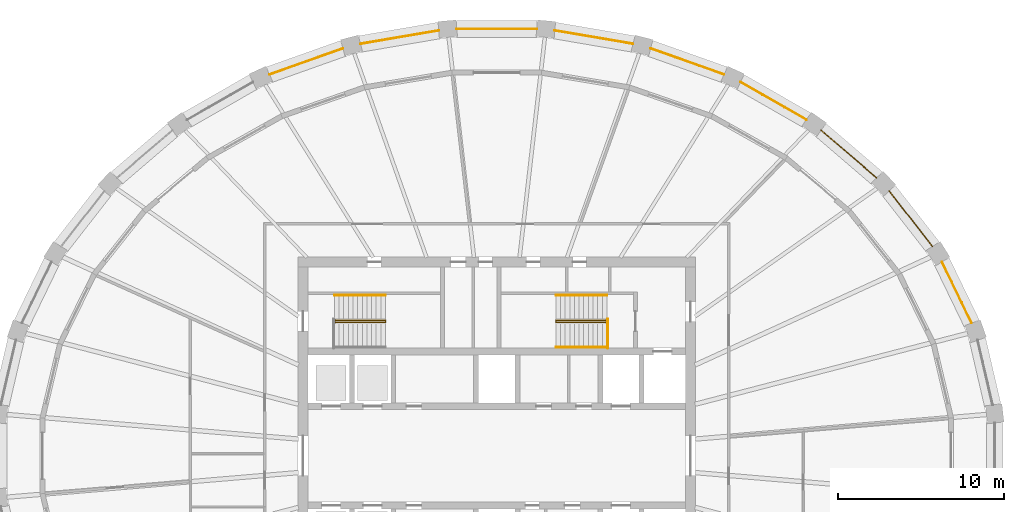
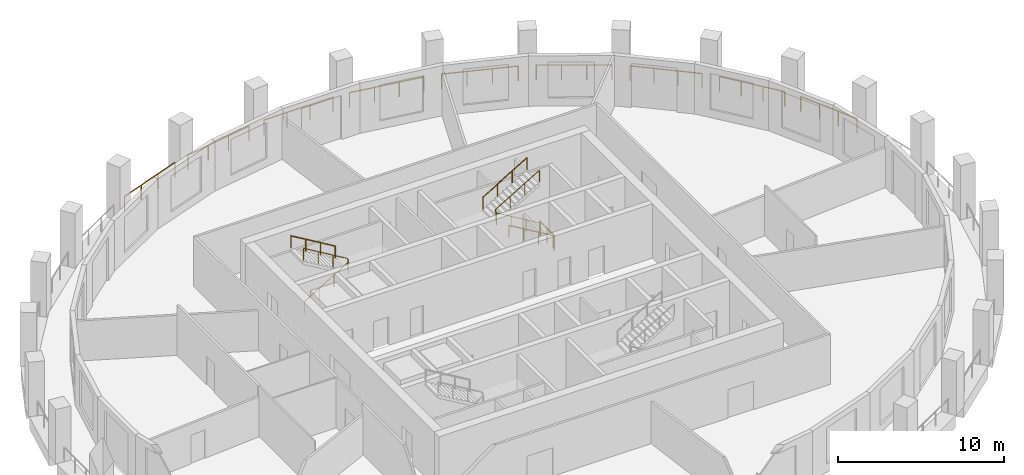
# One storey, part 9 of 10: 15 railings.
"""IFC4 building model written with IfcOpenShell, lengths in metres."""

import ifcopenshell
import ifcopenshell.guid

model = None  # the IFC model being written
_history = None  # IfcOwnerHistory: only IFC2X3 demands one
_inside = {}  # id of a spatial element -> (the spatial element, [elements in it])
_under = {}  # id of a project, library or spatial element -> (it, [spatial elements below it])
_declared = {}  # id of a project -> (the project, [libraries it declares])
_typed = {}  # id of a type object -> (the type object, [elements of that type])
_made_of = {}  # id of a material, layer set ... -> (it, [elements and type objects made of it])


def new_model(schema):
    """Start an empty IFC model of exactly this schema.

    Asked for "IFC4X3", IfcOpenShell would pick the latest addendum, in which some entities
    have other attributes; the version numbers below select the first issue.
    IFC2X3 requires an IfcOwnerHistory on every rooted entity: one is made here for all.
    """
    global model, _history
    if schema == "IFC4X3":
        model = ifcopenshell.file(schema_version=(4, 3, 0, 0))
    else:
        model = ifcopenshell.file(schema=schema)
    _inside.clear()
    _under.clear()
    _declared.clear()
    _typed.clear()
    _made_of.clear()
    _history = None
    if model.schema == "IFC2X3":
        org = make("IfcOrganization", Name="unknown")
        user = make(
            "IfcPersonAndOrganization",
            ThePerson=make("IfcPerson", FamilyName="unknown"),
            TheOrganization=org,
        )
        app = make(
            "IfcApplication",
            ApplicationDeveloper=org,
            Version="unknown",
            ApplicationFullName="unknown",
            ApplicationIdentifier="unknown",
        )
        _history = make(
            "IfcOwnerHistory",
            OwningUser=user,
            OwningApplication=app,
            ChangeAction="ADDED",
            CreationDate=0,
        )
    return model


def make(cls, **values):
    """One entity of the class cls with the attributes given. An attribute that is None is left unset."""
    return model.create_entity(
        cls, **{name: value for name, value in values.items() if value is not None}
    )


def rooted(cls, **values):
    """An entity with a GlobalId (a new one), such as an element, a storey or a relation."""
    return make(cls, GlobalId=ifcopenshell.guid.new(), OwnerHistory=_history, **values)


def si_unit(unit_type, name, prefix=None):
    """IfcSIUnit, for example si_unit("LENGTHUNIT", "METRE", prefix="MILLI")."""
    return make("IfcSIUnit", UnitType=unit_type, Prefix=prefix, Name=name)


def assignment(units):
    """IfcUnitAssignment: the units of a project."""
    return None if units is None else make("IfcUnitAssignment", Units=units)


def point(xyz):
    """IfcCartesianPoint."""
    return None if xyz is None else make("IfcCartesianPoint", Coordinates=xyz)


def direction(xyz):
    """IfcDirection."""
    return None if xyz is None else make("IfcDirection", DirectionRatios=xyz)


def frame(location, z_axis=None, x_axis=None):
    """IfcAxis2Placement3D, a coordinate frame: its origin and axes. An axis left out is left unset."""
    return make(
        "IfcAxis2Placement3D",
        Location=point(location),
        Axis=direction(z_axis),
        RefDirection=direction(x_axis),
    )


def frame_2d(location, x_axis=None):
    """IfcAxis2Placement2D, a coordinate frame in the plane: its origin and x axis."""
    return make(
        "IfcAxis2Placement2D", Location=point(location), RefDirection=direction(x_axis)
    )


def origin():
    """The frame at (0, 0, 0) with its axes left unset."""
    return frame((0.0, 0.0, 0.0))


def origin_2d():
    """The frame at (0, 0) in the plane with its x axis left unset."""
    return frame_2d((0.0, 0.0))


def place(relative_to, where):
    """IfcLocalPlacement: puts the frame where relative to a parent placement (None: the world)."""
    return make(
        "IfcLocalPlacement", PlacementRelTo=relative_to, RelativePlacement=where
    )


def context(
    kind, dimensions, precision=None, world=None, true_north=None, identifier=None
):
    """IfcGeometricRepresentationContext, for example the 3D "Model" context."""
    return make(
        "IfcGeometricRepresentationContext",
        ContextIdentifier=identifier,
        ContextType=kind,
        CoordinateSpaceDimension=dimensions,
        Precision=precision,
        WorldCoordinateSystem=world,
        TrueNorth=true_north,
    )


def subcontext(parent, identifier, kind, view, scale=None):
    """IfcGeometricRepresentationSubContext, for example "Body" below "Model"."""
    return make(
        "IfcGeometricRepresentationSubContext",
        ContextIdentifier=identifier,
        ContextType=kind,
        ParentContext=parent,
        TargetScale=scale,
        TargetView=view,
    )


def project(units=None, contexts=None):
    """IfcProject with its units and contexts."""
    return rooted(
        "IfcProject",
        Name="project",
        RepresentationContexts=contexts,
        UnitsInContext=assignment(units),
    )


def spatial(cls, under=None, at=None, **own):
    """A site, building, storey or space (cls), placed at a placement, below another one or the project."""
    s = rooted(cls, ObjectPlacement=at, **own)
    if under is not None:
        _under.setdefault(under.id(), (under, []))[1].append(s)
    return s


def profile(cls, at=None, kind="AREA", **sizes):
    """A parametric profile (cls). Its sizes go by their IFC names, for example OverallWidth=200.0."""
    return make(cls, ProfileType=kind, Position=at, **sizes)


def circle(**sizes):
    """IfcCircleProfileDef."""
    return profile("IfcCircleProfileDef", **sizes)


def extrude(swept, where, along, depth):
    """IfcExtrudedAreaSolid: the profile swept, set in the frame where, extruded along a direction by depth."""
    return make(
        "IfcExtrudedAreaSolid",
        SweptArea=swept,
        Position=where,
        ExtrudedDirection=direction(along),
        Depth=depth,
    )


def shape(context_of_items, identifier, shape_type, items):
    """IfcShapeRepresentation: the items that make up one representation, for example the "Body"."""
    return make(
        "IfcShapeRepresentation",
        ContextOfItems=context_of_items,
        RepresentationIdentifier=identifier,
        RepresentationType=shape_type,
        Items=items,
    )


def material(Name=None, Category=None):
    """IfcMaterial."""
    return make("IfcMaterial", Name=Name, Category=Category)


def made_of(thing, what):
    """Note that an element or type object is made of a material, layer set ...; save() writes the relation."""
    if what is not None:
        _made_of.setdefault(what.id(), (what, []))[1].append(thing)
    return thing


def type_object(cls, material=None, **own):
    """A type object (cls), such as IfcWallType, which elements share."""
    return made_of(rooted(cls, **own), material)


def element(
    cls,
    number,
    at=None,
    inside=None,
    cuts=None,
    type_object=None,
    material=None,
    context=None,
    identifier="Body",
    shape_type=None,
    held_by="IfcProductDefinitionShape",
    body=None,
    shapes=None,
    **own,
):
    """One element of the class cls, such as IfcWall. Its Tag is "e" and its number.

    at: its placement. inside: the storey or other place that contains it. cuts: it is an
    opening in that element (IfcRelVoidsElement). A single representation is given by context,
    identifier, shape_type and body (its items); several are given by shapes. held_by: the class
    of the entity that holds the representations. save() writes the other relations.
    """
    e = rooted(cls, Tag="e%d" % number, ObjectPlacement=at, **own)
    if body is not None:
        shapes = [shape(context, identifier, shape_type, body)]
    if shapes is not None:
        e.Representation = make(held_by, Representations=shapes)
    if inside is not None:
        _inside.setdefault(inside.id(), (inside, []))[1].append(e)
    if cuts is not None:
        rooted(
            "IfcRelVoidsElement", RelatingBuildingElement=cuts, RelatedOpeningElement=e
        )
    if type_object is not None:
        _typed.setdefault(type_object.id(), (type_object, []))[1].append(e)
    return made_of(e, material)


def aggregate(whole, parts):
    """IfcRelAggregates: a whole, such as a stair, and the parts it consists of."""
    return rooted("IfcRelAggregates", RelatingObject=whole, RelatedObjects=parts)


def save(model, path):
    """Write the relations noted so far, then the file.

    IfcRelAggregates (storeys below a building ...), IfcRelContainedInSpatialStructure (elements
    in a storey), IfcRelDefinesByType, IfcRelAssociatesMaterial and IfcRelDeclares: one each for
    every whole, place, type object, material and project.
    """
    for whole, parts in _under.values():
        aggregate(whole, parts)
    for where, things in _inside.values():
        rooted(
            "IfcRelContainedInSpatialStructure",
            RelatedElements=things,
            RelatingStructure=where,
        )
    for kind, things in _typed.values():
        rooted("IfcRelDefinesByType", RelatedObjects=things, RelatingType=kind)
    for what, things in _made_of.values():
        rooted("IfcRelAssociatesMaterial", RelatedObjects=things, RelatingMaterial=what)
    for by, libraries in _declared.values():
        rooted("IfcRelDeclares", RelatingContext=by, RelatedDefinitions=libraries)
    model.write(path)


model = new_model("IFC4")

# Units and contexts
model_context = context("Model", 3, precision=1e-05, world=origin(), true_north=direction((0.0, 1.0)))
body_context = subcontext(model_context, "Body", "Model", "MODEL_VIEW")
ifc_project = project(units=[si_unit("LENGTHUNIT", "METRE"), si_unit("AREAUNIT", "SQUARE_METRE"), si_unit("VOLUMEUNIT", "CUBIC_METRE"), si_unit("PLANEANGLEUNIT", "RADIAN"), si_unit("MASSUNIT", "GRAM", prefix="KILO")], contexts=[model_context])

# Site, building, storey
site_placement = place(None, origin())
site = spatial("IfcSite", under=ifc_project, at=site_placement, CompositionType="ELEMENT")
building_placement = place(site_placement, origin())
building = spatial("IfcBuilding", under=site, at=building_placement, Name="Halqa Exchange Tower", CompositionType="ELEMENT")
storey_placement = place(building_placement, frame((0.0, 0.0, 256.300048828125)))
storey = spatial("IfcBuildingStorey", under=building, at=storey_placement, Name="L59", CompositionType="ELEMENT", Elevation=256.300048828125)

# Railings
ifc_material = material(Name="Stainless steel", Category="steel")
railing_type_1 = type_object("IfcRailingType", Name="Guard 1100 stainless steel", PredefinedType="GUARDRAIL", material=ifc_material)
railing_1_placement = place(storey_placement, frame((28.67041015625, 8.011962890625, 0.0)))
element("IfcRailing", 1, at=railing_1_placement, inside=storey, type_object=railing_type_1, Name="Loggia guard 2", PredefinedType="GUARDRAIL", context=body_context, shape_type="SweptSolid", body=[
    extrude(circle(Radius=0.02392578125, at=origin_2d()), frame((0.0, 0.0, 1.076171875), z_axis=(-0.435122901851, 0.900371068107, 0.0), x_axis=(-0.900371068107, -0.435122901851, 0.0)), (0.0, 0.0, 1.0), 4.10888671875),
    extrude(circle(Radius=0.02099609375, at=origin_2d()), origin(), (0.0, 0.0, 1.0), 1.052001953125),
    extrude(circle(Radius=0.02099609375, at=origin_2d()), frame((-0.595947265625, 1.233154296875, 0.0)), (0.0, 0.0, 1.0), 1.052001953125),
    extrude(circle(Radius=0.02099609375, at=origin_2d()), frame((-1.19189453125, 2.46630859375, 0.0)), (0.0, 0.0, 1.0), 1.052001953125),
    extrude(circle(Radius=0.02099609375, at=origin_2d()), frame((-1.787841796875, 3.699462890625, 0.0)), (0.0, 0.0, 1.0), 1.052001953125),
])
railing_2_placement = place(storey_placement, frame((26.30517578125, 12.640380859375, 0.0)))
element("IfcRailing", 2, at=railing_2_placement, inside=storey, type_object=railing_type_1, Name="Loggia guard 3", PredefinedType="GUARDRAIL", context=body_context, shape_type="SweptSolid", body=[
    extrude(circle(Radius=0.02392578125, at=origin_2d()), frame((0.0, 0.0, 1.076171875), z_axis=(-0.614806859209, 0.788677707223, 0.0), x_axis=(-0.788677707223, -0.614806859209, 0.0)), (0.0, 0.0, 1.0), 4.251708984375),
    extrude(circle(Radius=0.02099609375, at=origin_2d()), origin(), (0.0, 0.0, 1.0), 1.052001953125),
    extrude(circle(Radius=0.02099609375, at=origin_2d()), frame((-0.871337890625, 1.11767578125, 0.0)), (0.0, 0.0, 1.0), 1.052001953125),
    extrude(circle(Radius=0.02099609375, at=origin_2d()), frame((-1.74267578125, 2.235595703125, 0.0)), (0.0, 0.0, 1.0), 1.052001953125),
    extrude(circle(Radius=0.02099609375, at=origin_2d()), frame((-2.614013671875, 3.353271484375, 0.0)), (0.0, 0.0, 1.0), 1.052001953125),
])
railing_3_placement = place(storey_placement, frame((22.935302734375, 16.785400390625, 0.0)))
element("IfcRailing", 3, at=railing_3_placement, inside=storey, type_object=railing_type_1, Name="Loggia guard 4", PredefinedType="GUARDRAIL", context=body_context, shape_type="SweptSolid", body=[
    extrude(circle(Radius=0.02392578125, at=origin_2d()), frame((0.0, 0.0, 1.076171875), z_axis=(-0.759240989742, 0.650809587741, 0.0), x_axis=(-0.650809587741, -0.759240989742, 0.0)), (0.0, 0.0, 1.0), 4.415283203125),
    extrude(circle(Radius=0.02099609375, at=origin_2d()), origin(), (0.0, 0.0, 1.0), 1.052001953125),
    extrude(circle(Radius=0.02099609375, at=origin_2d()), frame((-1.117431640625, 0.957763671875, 0.0)), (0.0, 0.0, 1.0), 1.052001953125),
    extrude(circle(Radius=0.02099609375, at=origin_2d()), frame((-2.23486328125, 1.915771484375, 0.0)), (0.0, 0.0, 1.0), 1.052001953125),
    extrude(circle(Radius=0.02099609375, at=origin_2d()), frame((-3.352294921875, 2.87353515625, 0.0)), (0.0, 0.0, 1.0), 1.052001953125),
])
railing_4_placement = place(storey_placement, frame((18.68798828125, 20.290283203125, 0.0)))
element("IfcRailing", 4, at=railing_4_placement, inside=storey, type_object=railing_type_1, Name="Loggia guard 5", PredefinedType="GUARDRAIL", context=body_context, shape_type="SweptSolid", body=[
    extrude(circle(Radius=0.02392578125, at=origin_2d()), frame((0.0, 0.0, 1.076171875), z_axis=(-0.867756640144, 0.496989349469, 0.0), x_axis=(-0.496989349469, -0.867756640144, 0.0)), (0.0, 0.0, 1.0), 4.574462890625),
    extrude(circle(Radius=0.02099609375, at=origin_2d()), origin(), (0.0, 0.0, 1.0), 1.052001953125),
    extrude(circle(Radius=0.02099609375, at=origin_2d()), frame((-1.3232421875, 0.7578125, 0.0)), (0.0, 0.0, 1.0), 1.052001953125),
    extrude(circle(Radius=0.02099609375, at=origin_2d()), frame((-2.646240234375, 1.515625, 0.0)), (0.0, 0.0, 1.0), 1.052001953125),
    extrude(circle(Radius=0.02099609375, at=origin_2d()), frame((-3.969482421875, 2.2734375, 0.0)), (0.0, 0.0, 1.0), 1.052001953125),
])
railing_5_placement = place(storey_placement, frame((13.722900390625, 23.02099609375, 0.0)))
element("IfcRailing", 5, at=railing_5_placement, inside=storey, type_object=railing_type_1, Name="Loggia guard 6", PredefinedType="GUARDRAIL", context=body_context, shape_type="SweptSolid", body=[
    extrude(circle(Radius=0.02392578125, at=origin_2d()), frame((0.0, 0.0, 1.076171875), z_axis=(-0.942362332285, 0.334594134275, 0.0), x_axis=(-0.334594134275, -0.942362332285, 0.0)), (0.0, 0.0, 1.0), 4.706298828125),
    extrude(circle(Radius=0.02099609375, at=origin_2d()), origin(), (0.0, 0.0, 1.0), 1.052001953125),
    extrude(circle(Radius=0.02099609375, at=origin_2d()), frame((-1.478271484375, 0.52490234375, 0.0)), (0.0, 0.0, 1.0), 1.052001953125),
    extrude(circle(Radius=0.02099609375, at=origin_2d()), frame((-2.956787109375, 1.0498046875, 0.0)), (0.0, 0.0, 1.0), 1.052001953125),
    extrude(circle(Radius=0.02099609375, at=origin_2d()), frame((-4.43505859375, 1.57470703125, 0.0)), (0.0, 0.0, 1.0), 1.052001953125),
])
railing_6_placement = place(storey_placement, frame((8.227294921875, 24.8720703125, 0.0)))
element("IfcRailing", 6, at=railing_6_placement, inside=storey, type_object=railing_type_1, Name="Loggia guard 7", PredefinedType="GUARDRAIL", context=body_context, shape_type="SweptSolid", body=[
    extrude(circle(Radius=0.02392578125, at=origin_2d()), frame((0.0, 0.0, 1.076171875), z_axis=(-0.98577433099, 0.168074294172, 0.0), x_axis=(-0.168074294172, -0.98577433099, 0.0)), (0.0, 0.0, 1.0), 4.7919921875),
    extrude(circle(Radius=0.02099609375, at=origin_2d()), origin(), (0.0, 0.0, 1.0), 1.052001953125),
    extrude(circle(Radius=0.02099609375, at=origin_2d()), frame((-1.57470703125, 0.2685546875, 0.0)), (0.0, 0.0, 1.0), 1.052001953125),
    extrude(circle(Radius=0.02099609375, at=origin_2d()), frame((-3.149169921875, 0.536865234375, 0.0)), (0.0, 0.0, 1.0), 1.052001953125),
    extrude(circle(Radius=0.02099609375, at=origin_2d()), frame((-4.723876953125, 0.805419921875, 0.0)), (0.0, 0.0, 1.0), 1.052001953125),
])
railing_7_placement = place(storey_placement, frame((2.4111328125, 25.77001953125, 0.0)))
element("IfcRailing", 7, at=railing_7_placement, inside=storey, type_object=railing_type_1, Name="Loggia guard 8", PredefinedType="GUARDRAIL", context=body_context, shape_type="SweptSolid", body=[
    extrude(circle(Radius=0.02392578125, at=origin_2d()), frame((0.0, 0.0, 1.076171875), z_axis=(-1.0, 0.0, 0.0), x_axis=(0.0, -1.0, 0.0)), (0.0, 0.0, 1.0), 4.822265625),
    extrude(circle(Radius=0.02099609375, at=origin_2d()), origin(), (0.0, 0.0, 1.0), 1.052001953125),
    extrude(circle(Radius=0.02099609375, at=origin_2d()), frame((-1.607421875, 0.0, 0.0)), (0.0, 0.0, 1.0), 1.052001953125),
    extrude(circle(Radius=0.02099609375, at=origin_2d()), frame((-3.21484375, 0.0, 0.0)), (0.0, 0.0, 1.0), 1.052001953125),
    extrude(circle(Radius=0.02099609375, at=origin_2d()), frame((-4.822265625, 0.0, 0.0)), (0.0, 0.0, 1.0), 1.052001953125),
])
railing_8_placement = place(storey_placement, frame((-3.50341796875, 25.677490234375, 0.0)))
element("IfcRailing", 8, at=railing_8_placement, inside=storey, type_object=railing_type_1, Name="Loggia guard 9", PredefinedType="GUARDRAIL", context=body_context, shape_type="SweptSolid", body=[
    extrude(circle(Radius=0.02392578125, at=origin_2d()), frame((0.0, 0.0, 1.076171875), z_axis=(-0.98577433099, -0.168074294172, 0.0), x_axis=(0.168074294172, -0.98577433099, 0.0)), (0.0, 0.0, 1.0), 4.7919921875),
    extrude(circle(Radius=0.02099609375, at=origin_2d()), origin(), (0.0, 0.0, 1.0), 1.052001953125),
    extrude(circle(Radius=0.02099609375, at=origin_2d()), frame((-1.57470703125, -0.2685546875, 0.0)), (0.0, 0.0, 1.0), 1.052001953125),
    extrude(circle(Radius=0.02099609375, at=origin_2d()), frame((-3.149169921875, -0.536865234375, 0.0)), (0.0, 0.0, 1.0), 1.052001953125),
    extrude(circle(Radius=0.02099609375, at=origin_2d()), frame((-4.723876953125, -0.805419921875, 0.0)), (0.0, 0.0, 1.0), 1.052001953125),
])
railing_9_placement = place(storey_placement, frame((-9.287841796875, 24.595703125, 0.0)))
element("IfcRailing", 9, at=railing_9_placement, inside=storey, type_object=railing_type_1, Name="Loggia guard 10", PredefinedType="GUARDRAIL", context=body_context, shape_type="SweptSolid", body=[
    extrude(circle(Radius=0.02392578125, at=origin_2d()), frame((0.0, 0.0, 1.076171875), z_axis=(-0.942362332285, -0.334594134275, 0.0), x_axis=(0.334594134275, -0.942362332285, 0.0)), (0.0, 0.0, 1.0), 4.706298828125),
    extrude(circle(Radius=0.02099609375, at=origin_2d()), origin(), (0.0, 0.0, 1.0), 1.052001953125),
    extrude(circle(Radius=0.02099609375, at=origin_2d()), frame((-1.478271484375, -0.52490234375, 0.0)), (0.0, 0.0, 1.0), 1.052001953125),
    extrude(circle(Radius=0.02099609375, at=origin_2d()), frame((-2.956787109375, -1.0498046875, 0.0)), (0.0, 0.0, 1.0), 1.052001953125),
    extrude(circle(Radius=0.02099609375, at=origin_2d()), frame((-4.43505859375, -1.57470703125, 0.0)), (0.0, 0.0, 1.0), 1.052001953125),
])
railing_type_2 = type_object("IfcRailingType", Name="Stair handrail 900", PredefinedType="HANDRAIL", material=ifc_material)
railing_10_placement = place(storey_placement, frame((-9.800048828125, 8.06005859375, 0.166748046875)))
element("IfcRailing", 10, at=railing_10_placement, inside=storey, type_object=railing_type_2, Name="Handrail ST1.1", PredefinedType="HANDRAIL", context=body_context, shape_type="SweptSolid", body=[
    extrude(circle(Radius=0.02392578125, at=origin_2d()), frame((0.0, 0.0, 0.8759765625), z_axis=(0.859308565015, 0.0, 0.511457515432), x_axis=(0.0, 1.0, 0.0)), (0.0, 0.0, 1.0), 3.58447265625),
    extrude(circle(Radius=0.02392578125, at=origin_2d()), frame((3.080078125, 0.0, 2.708984375), z_axis=(0.0, 0.614500226555, 0.788916644243), x_axis=(-1.0, 0.0, 0.0)), (0.0, 0.0, 1.0), 0.21142578125),
    extrude(circle(Radius=0.02392578125, at=origin_2d()), frame((3.080078125, 0.1298828125, 2.8759765625), z_axis=(-0.859308565015, 0.0, 0.511457515432), x_axis=(0.0, -1.0, 0.0)), (0.0, 0.0, 1.0), 3.58447265625),
    extrude(circle(Radius=0.02099609375, at=origin_2d()), origin(), (0.0, 0.0, 1.0), 0.851806640625),
    extrude(circle(Radius=0.02099609375, at=origin_2d()), frame((1.026611328125, 0.0, 0.611083984375)), (0.0, 0.0, 1.0), 0.851806640625),
    extrude(circle(Radius=0.02099609375, at=origin_2d()), frame((2.053466796875, 0.0, 1.22216796875)), (0.0, 0.0, 1.0), 0.851806640625),
    extrude(circle(Radius=0.02099609375, at=origin_2d()), frame((3.080078125, 0.0, 1.833251953125)), (0.0, 0.0, 1.0), 0.851806640625),
    extrude(circle(Radius=0.02099609375, at=origin_2d()), frame((3.080078125, 0.1298828125, 2.0)), (0.0, 0.0, 1.0), 0.851806640625),
    extrude(circle(Radius=0.02099609375, at=origin_2d()), frame((2.053466796875, 0.1298828125, 2.611083984375)), (0.0, 0.0, 1.0), 0.851806640625),
    extrude(circle(Radius=0.02099609375, at=origin_2d()), frame((1.026611328125, 0.1298828125, 3.22216796875)), (0.0, 0.0, 1.0), 0.851806640625),
    extrude(circle(Radius=0.02099609375, at=origin_2d()), frame((0.0, 0.1298828125, 3.833251953125)), (0.0, 0.0, 1.0), 0.851806640625),
])
railing_11_placement = place(storey_placement, frame((-6.719970703125, 9.699951171875, 2.166748046875)))
element("IfcRailing", 11, at=railing_11_placement, inside=storey, type_object=railing_type_2, Name="Handrail ST1.3", PredefinedType="HANDRAIL", context=body_context, shape_type="SweptSolid", body=[
    extrude(circle(Radius=0.02392578125, at=origin_2d()), frame((0.0, 0.0, 0.8759765625), z_axis=(-0.859308565015, 0.0, 0.511457515432), x_axis=(0.0, -1.0, 0.0)), (0.0, 0.0, 1.0), 3.58447265625),
    extrude(circle(Radius=0.02099609375, at=origin_2d()), origin(), (0.0, 0.0, 1.0), 0.851806640625),
    extrude(circle(Radius=0.02099609375, at=origin_2d()), frame((-1.026611328125, 0.0, 0.611083984375)), (0.0, 0.0, 1.0), 0.851806640625),
    extrude(circle(Radius=0.02099609375, at=origin_2d()), frame((-2.053466796875, 0.0, 1.22216796875)), (0.0, 0.0, 1.0), 0.851806640625),
    extrude(circle(Radius=0.02099609375, at=origin_2d()), frame((-3.080078125, 0.0, 1.833251953125)), (0.0, 0.0, 1.0), 0.851806640625),
])
railing_12_placement = place(storey_placement, frame((6.64990234375, 8.06005859375, 0.166748046875)))
element("IfcRailing", 12, at=railing_12_placement, inside=storey, type_object=railing_type_2, Name="Handrail ST2.1", PredefinedType="HANDRAIL", context=body_context, shape_type="SweptSolid", body=[
    extrude(circle(Radius=0.02392578125, at=origin_2d()), frame((0.0, 0.0, 0.8759765625), z_axis=(-0.859290745958, 0.0, 0.51148745235), x_axis=(0.0, -1.0, 0.0)), (0.0, 0.0, 1.0), 3.584228515625),
    extrude(circle(Radius=0.02392578125, at=origin_2d()), frame((-3.079833984375, 0.0, 2.708984375), z_axis=(0.0, 0.614500226555, 0.788916644243), x_axis=(-1.0, 0.0, 0.0)), (0.0, 0.0, 1.0), 0.21142578125),
    extrude(circle(Radius=0.02392578125, at=origin_2d()), frame((-3.079833984375, 0.1298828125, 2.8759765625), z_axis=(0.859290745958, 0.0, 0.51148745235), x_axis=(0.0, 1.0, 0.0)), (0.0, 0.0, 1.0), 3.584228515625),
    extrude(circle(Radius=0.02099609375, at=origin_2d()), origin(), (0.0, 0.0, 1.0), 0.851806640625),
    extrude(circle(Radius=0.02099609375, at=origin_2d()), frame((-1.026611328125, 0.0, 0.611083984375)), (0.0, 0.0, 1.0), 0.851806640625),
    extrude(circle(Radius=0.02099609375, at=origin_2d()), frame((-2.05322265625, 0.0, 1.22216796875)), (0.0, 0.0, 1.0), 0.851806640625),
    extrude(circle(Radius=0.02099609375, at=origin_2d()), frame((-3.079833984375, 0.0, 1.833251953125)), (0.0, 0.0, 1.0), 0.851806640625),
    extrude(circle(Radius=0.02099609375, at=origin_2d()), frame((-3.079833984375, 0.1298828125, 2.0)), (0.0, 0.0, 1.0), 0.851806640625),
    extrude(circle(Radius=0.02099609375, at=origin_2d()), frame((-2.05322265625, 0.1298828125, 2.611083984375)), (0.0, 0.0, 1.0), 0.851806640625),
    extrude(circle(Radius=0.02099609375, at=origin_2d()), frame((-1.026611328125, 0.1298828125, 3.22216796875)), (0.0, 0.0, 1.0), 0.851806640625),
    extrude(circle(Radius=0.02099609375, at=origin_2d()), frame((0.0, 0.1298828125, 3.833251953125)), (0.0, 0.0, 1.0), 0.851806640625),
])
railing_13_placement = place(storey_placement, frame((6.64990234375, 6.550048828125, 0.166748046875)))
element("IfcRailing", 13, at=railing_13_placement, inside=storey, type_object=railing_type_2, Name="Handrail ST2.2", PredefinedType="HANDRAIL", context=body_context, shape_type="SweptSolid", body=[
    extrude(circle(Radius=0.02392578125, at=origin_2d()), frame((0.0, 0.0, 0.8759765625), z_axis=(-0.859290745958, 0.0, 0.51148745235), x_axis=(0.0, -1.0, 0.0)), (0.0, 0.0, 1.0), 3.584228515625),
    extrude(circle(Radius=0.02099609375, at=origin_2d()), origin(), (0.0, 0.0, 1.0), 0.851806640625),
    extrude(circle(Radius=0.02099609375, at=origin_2d()), frame((-1.026611328125, 0.0, 0.611083984375)), (0.0, 0.0, 1.0), 0.851806640625),
    extrude(circle(Radius=0.02099609375, at=origin_2d()), frame((-2.05322265625, 0.0, 1.22216796875)), (0.0, 0.0, 1.0), 0.851806640625),
    extrude(circle(Radius=0.02099609375, at=origin_2d()), frame((-3.079833984375, 0.0, 1.833251953125)), (0.0, 0.0, 1.0), 0.851806640625),
])
railing_14_placement = place(storey_placement, frame((3.570068359375, 9.699951171875, 2.166748046875)))
element("IfcRailing", 14, at=railing_14_placement, inside=storey, type_object=railing_type_2, Name="Handrail ST2.3", PredefinedType="HANDRAIL", context=body_context, shape_type="SweptSolid", body=[
    extrude(circle(Radius=0.02392578125, at=origin_2d()), frame((0.0, 0.0, 0.8759765625), z_axis=(0.859290745958, 0.0, 0.51148745235), x_axis=(0.0, 1.0, 0.0)), (0.0, 0.0, 1.0), 3.584228515625),
    extrude(circle(Radius=0.02099609375, at=origin_2d()), origin(), (0.0, 0.0, 1.0), 0.851806640625),
    extrude(circle(Radius=0.02099609375, at=origin_2d()), frame((1.026611328125, 0.0, 0.611083984375)), (0.0, 0.0, 1.0), 0.851806640625),
    extrude(circle(Radius=0.02099609375, at=origin_2d()), frame((2.05322265625, 0.0, 1.22216796875)), (0.0, 0.0, 1.0), 0.851806640625),
    extrude(circle(Radius=0.02099609375, at=origin_2d()), frame((3.079833984375, 0.0, 1.833251953125)), (0.0, 0.0, 1.0), 0.851806640625),
])
railing_type_3 = type_object("IfcRailingType", Name="Stair well guard 1100", PredefinedType="GUARDRAIL", material=ifc_material)
railing_15_placement = place(storey_placement, frame((6.699951171875, 6.5, 0.0)))
element("IfcRailing", 15, at=railing_15_placement, inside=storey, type_object=railing_type_3, Name="Guard ST2 well", PredefinedType="GUARDRAIL", context=body_context, shape_type="SweptSolid", body=[
    extrude(circle(Radius=0.02392578125, at=origin_2d()), frame((0.0, 0.0, 1.076171875), z_axis=(0.0, 1.0, 0.0), x_axis=(-1.0, 0.0, 0.0)), (0.0, 0.0, 1.0), 1.75),
    extrude(circle(Radius=0.02099609375, at=origin_2d()), origin(), (0.0, 0.0, 1.0), 1.052001953125),
    extrude(circle(Radius=0.02099609375, at=origin_2d()), frame((0.0, 0.875, 0.0)), (0.0, 0.0, 1.0), 1.052001953125),
    extrude(circle(Radius=0.02099609375, at=origin_2d()), frame((0.0, 1.75, 0.0)), (0.0, 0.0, 1.0), 1.052001953125),
])

save(model, "model.ifc")
